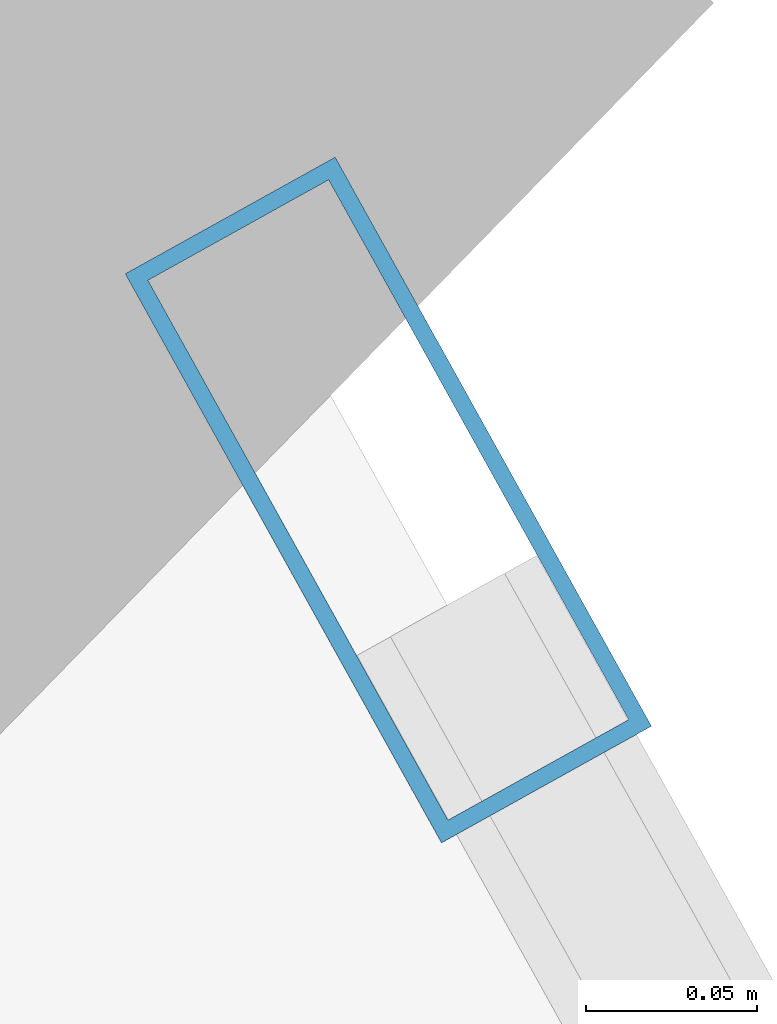
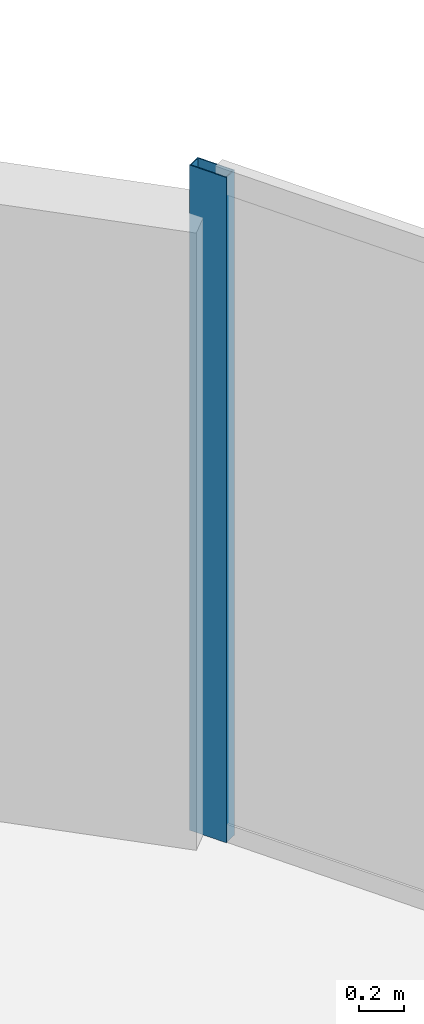
# One storey, part 15 of 22: 1 member, 1 element without a shape of its own.
"""IFC4 building model written with IfcOpenShell, lengths in metres."""

from ifc_helpers import new_model, si_unit, direction, frame, origin, origin_2d, place, context, subcontext, project, spatial, hollow_rectangle, extrude, source, transform, mapped, material, layer, layer_set, material_profile, profile_set, type_object, element, aggregate, save


model = new_model("IFC4")

# Units and contexts
model_context = context("Model", 3, precision=1e-05, world=origin(), true_north=direction((0.0, 1.0)))
body_context = subcontext(model_context, "Body", "Model", "MODEL_VIEW")
ifc_project = project(units=[si_unit("LENGTHUNIT", "METRE"), si_unit("AREAUNIT", "SQUARE_METRE"), si_unit("VOLUMEUNIT", "CUBIC_METRE"), si_unit("PLANEANGLEUNIT", "RADIAN"), si_unit("MASSUNIT", "GRAM", prefix="KILO")], contexts=[model_context])

# Site, building, storey
site_placement = place(None, origin())
site = spatial("IfcSite", under=ifc_project, at=site_placement, CompositionType="ELEMENT")
building_placement = place(site_placement, origin())
building = spatial("IfcBuilding", under=site, at=building_placement, Name="Solvirekh Grand Hotel", CompositionType="ELEMENT")
storey_placement = place(building_placement, frame((0.0, 0.0, 78.800048828125)))
storey = spatial("IfcBuildingStorey", under=building, at=storey_placement, Name="L19", CompositionType="ELEMENT", Elevation=78.800048828125)

# Curtain wall, member
ifc_material = material(Name="Anodized Bronze Aluminium 6063-T6", Category="aluminium")
ifc_layer = layer(ifc_material, 0.18994140625)
ifc_layer_set = layer_set([ifc_layer], Name="Anodized Bronze Aluminium 6063-T6")
curtain_wall_type = type_object("IfcCurtainWallType", Name="CW_Sys2_LowZoneFlushBronzeCW", PredefinedType="NOTDEFINED", material=ifc_layer_set)
curtain_wall_placement = place(storey_placement, origin())
curtain_wall = element("IfcCurtainWall", 1, at=curtain_wall_placement, inside=storey, type_object=curtain_wall_type, Name="L19 unitised bronze-glass curtain wall CW-L19-C03", PredefinedType="NOTDEFINED")
ifc_material_profile = material_profile(ifc_material, hollow_rectangle(XDim=0.070068359375, YDim=0.18994140625, WallThickness=0.0048828125, at=origin_2d()), Name="ALU RHS 190X70X5")
ifc_profile_set = profile_set([ifc_material_profile], Name="Anodized Bronze Aluminium 6063-T6")
member_type = type_object("IfcMemberType", Name="CWMullion_Sys2", PredefinedType="MULLION", material=ifc_profile_set)
shared_shape = source(origin(), body_context, "Body", "SweptSolid", [
    extrude(hollow_rectangle(XDim=0.070068359375, YDim=0.18994140625, WallThickness=0.0048828125, at=origin_2d()), origin(), (0.0, 0.0, 1.0), 3.599853515625),
])
member_placement = place(storey_placement, frame((22.5048828125, 10.616455078125, 0.0), z_axis=(0.0, 0.0, 1.0), x_axis=(-0.874083804437, -0.485775156652, 0.0)))
member = element("IfcMember", 2, at=member_placement, type_object=member_type, Name="U02 mullion 3", PredefinedType="MULLION", context=body_context, shape_type="MappedRepresentation", body=[
    mapped(shared_shape, transform((0.0, 0.0, 0.0), x_axis=(1.0, 0.0, 0.0), y_axis=(0.0, 1.0, 0.0), z_axis=(0.0, 0.0, 1.0), scale=1.0)),
])
aggregate(curtain_wall, [member])

save(model, "model.ifc")
